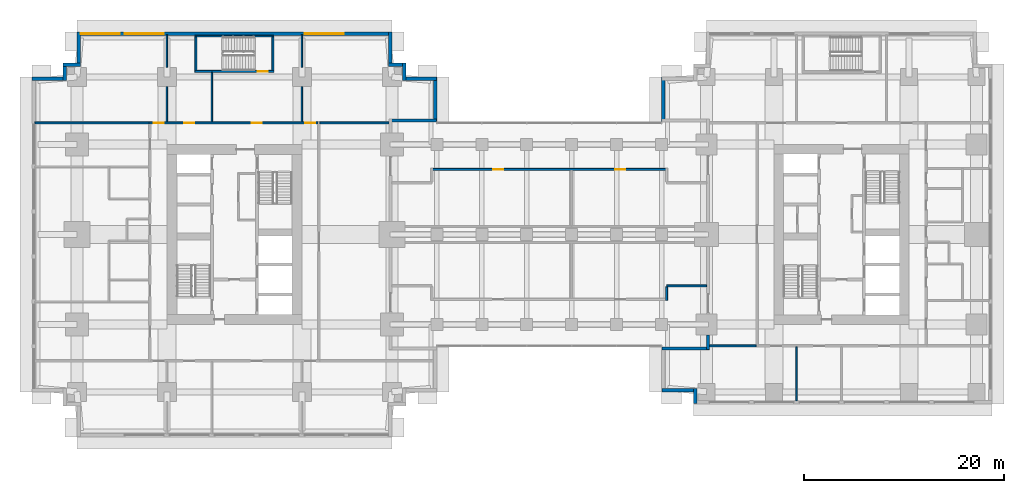
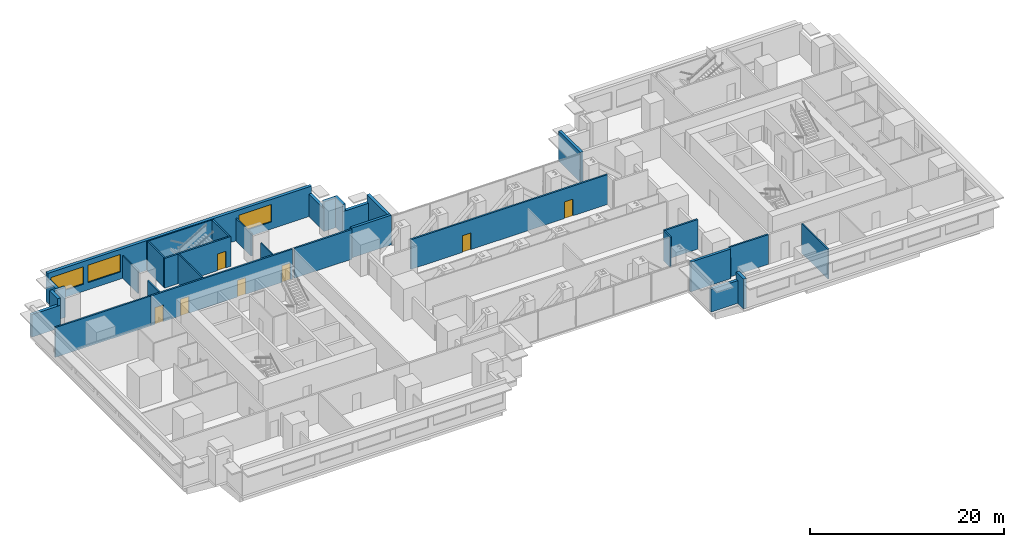
# One storey, part 9 of 16: 33 walls, 7 doors, 3 windows, 10 openings.
"""IFC4 building model written with IfcOpenShell, lengths in metres."""

from ifc_helpers import new_model, si_unit, direction, frame, frame_2d, origin, place, context, subcontext, project, spatial, rectangle, extrude, material, layer, layer_set, type_object, element, fill, save


model = new_model("IFC4")

# Units and contexts
model_context = context("Model", 3, precision=1e-05, world=origin(), true_north=direction((0.0, 1.0)))
body_context = subcontext(model_context, "Body", "Model", "MODEL_VIEW")
ifc_project = project(units=[si_unit("LENGTHUNIT", "METRE"), si_unit("AREAUNIT", "SQUARE_METRE"), si_unit("VOLUMEUNIT", "CUBIC_METRE"), si_unit("PLANEANGLEUNIT", "RADIAN"), si_unit("MASSUNIT", "GRAM", prefix="KILO")], contexts=[model_context])

# Site, building, storey
site_placement = place(None, origin())
site = spatial("IfcSite", under=ifc_project, at=site_placement, CompositionType="ELEMENT")
building_placement = place(site_placement, origin())
building = spatial("IfcBuilding", under=site, at=building_placement, Name="Namib Vertical Campus", CompositionType="ELEMENT")
storey_placement = place(building_placement, frame((0.0, 0.0, 129.0)))
storey = spatial("IfcBuildingStorey", under=building, at=storey_placement, Name="L30", CompositionType="ELEMENT", Elevation=129.0)

# Wall, openings, doors
ifc_material_1 = material(Name="Concrete masonry", Category="masonry")
ifc_layer_1 = layer(ifc_material_1, 0.199951171875)
ifc_layer_set_1 = layer_set([ifc_layer_1], Name="Corridor wall 200")
wall_type_1 = type_object("IfcWallType", Name="Corridor wall 200", PredefinedType="SOLIDWALL", material=ifc_layer_set_1)
wall_1_placement = place(storey_placement, frame((28.60009765625, 31.39990234375, 0.0), z_axis=(0.0, 0.0, 1.0), x_axis=(-1.0, 0.0, 0.0)))
wall_1 = element("IfcWall", 1, at=wall_1_placement, inside=storey, type_object=wall_type_1, Name="Corridor wall A L30 CN", PredefinedType="SOLIDWALL", context=body_context, shape_type="SweptSolid", body=[
    extrude(rectangle(XDim=16.900146484375, YDim=0.199951171875, at=frame_2d((8.4501953125, 0.0))), origin(), (0.0, 0.0, 1.0), 3.75),
])
opening_1_placement = place(wall_1_placement, frame((15.425048828125, 0.0, 0.0)))
opening_1 = element("IfcOpeningElement", 2, at=opening_1_placement, cuts=wall_1, Name="Opening CD1", PredefinedType="OPENING", context=body_context, shape_type="SweptSolid", body=[
    extrude(rectangle(XDim=1.0, YDim=2.10009765625, at=frame_2d((0.5, 1.050048828125))), frame((0.0, 0.10986328125, 0.0), z_axis=(0.0, -1.0, 0.0), x_axis=(1.0, 0.0, 0.0)), (0.0, 0.0, 1.0), 0.219970703125),
])
opening_2_placement = place(wall_1_placement, frame((12.35009765625, 0.0, 0.0)))
opening_2 = element("IfcOpeningElement", 3, at=opening_2_placement, cuts=wall_1, Name="Opening CD1", PredefinedType="OPENING", context=body_context, shape_type="SweptSolid", body=[
    extrude(rectangle(XDim=1.0, YDim=2.10009765625, at=frame_2d((0.5, 1.050048828125))), frame((0.0, 0.10986328125, 0.0), z_axis=(0.0, -1.0, 0.0), x_axis=(1.0, 0.0, 0.0)), (0.0, 0.0, 1.0), 0.219970703125),
])
opening_3_placement = place(wall_1_placement, frame((5.60009765625, 0.0, 0.0)))
opening_3 = element("IfcOpeningElement", 4, at=opening_3_placement, cuts=wall_1, Name="Opening CD4", PredefinedType="OPENING", context=body_context, shape_type="SweptSolid", body=[
    extrude(rectangle(XDim=1.0, YDim=2.10009765625, at=frame_2d((0.5, 1.050048828125))), frame((0.0, 0.10986328125, 0.0), z_axis=(0.0, -1.0, 0.0), x_axis=(1.0, 0.0, 0.0)), (0.0, 0.0, 1.0), 0.219970703125),
])
opening_4_placement = place(wall_1_placement, frame((0.27490234375, 0.0, 0.0)))
opening_4 = element("IfcOpeningElement", 5, at=opening_4_placement, cuts=wall_1, Name="Opening CD1", PredefinedType="OPENING", context=body_context, shape_type="SweptSolid", body=[
    extrude(rectangle(XDim=1.0, YDim=2.10009765625, at=frame_2d((0.5, 1.050048828125))), frame((0.0, 0.10986328125, 0.0), z_axis=(0.0, -1.0, 0.0), x_axis=(1.0, 0.0, 0.0)), (0.0, 0.0, 1.0), 0.219970703125),
])
ifc_material_2 = material(Name="Timber fire door leaf", Category="wood")
door_type_1 = type_object("IfcDoorType", Name="Corridor door 1000x2100 20 min", OperationType="SINGLE_SWING_LEFT", PredefinedType="DOOR", material=ifc_material_2)
door_1_placement = place(opening_1_placement, frame((1.0, 0.0, 0.0), z_axis=(0.0, 0.0, 1.0), x_axis=(-1.0, 0.0, 0.0)))
door_1 = element("IfcDoor", 6, at=door_1_placement, inside=storey, type_object=door_type_1, Name="Door CD1 A30-06", OperationType="SINGLE_SWING_RIGHT", OverallHeight=2.10009765625, OverallWidth=1.0, PredefinedType="DOOR", context=body_context, shape_type="SweptSolid", body=[
    extrude(rectangle(XDim=1.0, YDim=2.10009765625, at=frame_2d((0.5, 1.050048828125))), frame((0.0, 0.02490234375, 0.0), z_axis=(0.0, -1.0, 0.0), x_axis=(1.0, 0.0, 0.0)), (0.0, 0.0, 1.0), 0.050048828125),
])
fill(opening_1, door_1)
door_2_placement = place(opening_2_placement, frame((1.0, 0.0, 0.0), z_axis=(0.0, 0.0, 1.0), x_axis=(-1.0, 0.0, 0.0)))
door_2 = element("IfcDoor", 7, at=door_2_placement, inside=storey, type_object=door_type_1, Name="Door CD1 A30-07", OperationType="SINGLE_SWING_RIGHT", OverallHeight=2.10009765625, OverallWidth=1.0, PredefinedType="DOOR", context=body_context, shape_type="SweptSolid", body=[
    extrude(rectangle(XDim=1.0, YDim=2.10009765625, at=frame_2d((0.5, 1.050048828125))), frame((0.0, 0.02490234375, 0.0), z_axis=(0.0, -1.0, 0.0), x_axis=(1.0, 0.0, 0.0)), (0.0, 0.0, 1.0), 0.050048828125),
])
fill(opening_2, door_2)
door_3_placement = place(opening_4_placement, frame((1.0, 0.0, 0.0), z_axis=(0.0, 0.0, 1.0), x_axis=(-1.0, 0.0, 0.0)))
door_3 = element("IfcDoor", 8, at=door_3_placement, inside=storey, type_object=door_type_1, Name="Door CD1 A30-09", OperationType="SINGLE_SWING_LEFT", OverallHeight=2.10009765625, OverallWidth=1.0, PredefinedType="DOOR", context=body_context, shape_type="SweptSolid", body=[
    extrude(rectangle(XDim=1.0, YDim=2.10009765625, at=frame_2d((0.5, 1.050048828125))), frame((0.0, 0.02490234375, 0.0), z_axis=(0.0, -1.0, 0.0), x_axis=(1.0, 0.0, 0.0)), (0.0, 0.0, 1.0), 0.050048828125),
])
fill(opening_4, door_3)
ifc_material_3 = material(Name="Timber fire door leaf", Category="wood")
door_type_2 = type_object("IfcDoorType", Name="Corridor door 1000x2100 20 min double-acting", OperationType="DOUBLE_SWING_LEFT", PredefinedType="DOOR", material=ifc_material_3)
door_4_placement = place(opening_3_placement, origin())
door_4 = element("IfcDoor", 9, at=door_4_placement, inside=storey, type_object=door_type_2, Name="Door CD4 A30-08", OperationType="DOUBLE_SWING_LEFT", OverallHeight=2.10009765625, OverallWidth=1.0, PredefinedType="DOOR", context=body_context, shape_type="SweptSolid", body=[
    extrude(rectangle(XDim=1.0, YDim=2.10009765625, at=frame_2d((0.5, 1.050048828125))), frame((0.0, 0.02490234375, 0.0), z_axis=(0.0, -1.0, 0.0), x_axis=(1.0, 0.0, 0.0)), (0.0, 0.0, 1.0), 0.050048828125),
])
fill(opening_3, door_4)

# Walls
wall_2_placement = place(storey_placement, frame((0.300048828125, 31.39990234375, 0.0), z_axis=(0.0, 0.0, 1.0), x_axis=(1.0, 0.0, 0.0)))
element("IfcWall", 10, at=wall_2_placement, inside=storey, type_object=wall_type_1, Name="Partition A L30 BNW", PredefinedType="SOLIDWALL", context=body_context, shape_type="SweptSolid", body=[
    extrude(rectangle(XDim=11.39990234375, YDim=0.199951171875, at=frame_2d((5.699951171875, 0.0))), origin(), (0.0, 0.0, 1.0), 3.75),
])
wall_3_placement = place(storey_placement, frame((28.800048828125, 31.39990234375, 0.0), z_axis=(0.0, 0.0, 1.0), x_axis=(1.0, 0.0, 0.0)))
element("IfcWall", 11, at=wall_3_placement, inside=storey, type_object=wall_type_1, Name="Partition A L30 BNE", PredefinedType="SOLIDWALL", context=body_context, shape_type="SweptSolid", body=[
    extrude(rectangle(XDim=6.89990234375, YDim=0.199951171875, at=frame_2d((3.449951171875, 0.0))), origin(), (0.0, 0.0, 1.0), 3.75),
])
wall_4_placement = place(storey_placement, frame((67.800048828125, 9.10009765625, 0.0), z_axis=(0.0, 0.0, 1.0), x_axis=(1.0, 0.0, 0.0)))
element("IfcWall", 12, at=wall_4_placement, inside=storey, type_object=wall_type_1, Name="Partition B L30 BSW", PredefinedType="SOLIDWALL", context=body_context, shape_type="SweptSolid", body=[
    extrude(rectangle(XDim=4.64990234375, YDim=0.199951171875, at=frame_2d((2.324951171875, 0.0))), origin(), (0.0, 0.0, 1.0), 3.75),
])
wall_5_placement = place(storey_placement, frame((63.5, 15.10009765625, 0.0), z_axis=(0.0, 0.0, 1.0), x_axis=(1.0, 0.0, 0.0)))
element("IfcWall", 13, at=wall_5_placement, inside=storey, type_object=wall_type_1, Name="Lobby wall L30 E", PredefinedType="SOLIDWALL", context=body_context, shape_type="SweptSolid", body=[
    extrude(rectangle(XDim=4.0, YDim=0.199951171875, at=frame_2d((2.0, 0.0))), origin(), (0.0, 0.0, 1.0), 3.75),
])
wall_6_placement = place(storey_placement, frame((63.5, 13.64990234375, 0.0), z_axis=(0.0, 0.0, 1.0), x_axis=(0.0, 1.0, 0.0)))
element("IfcWall", 14, at=wall_6_placement, inside=storey, type_object=wall_type_1, Name="Lobby side wall L30 E", PredefinedType="SOLIDWALL", context=body_context, shape_type="SweptSolid", body=[
    extrude(rectangle(XDim=1.35009765625, YDim=0.199951171875, at=frame_2d((0.675048828125, 0.0))), origin(), (0.0, 0.0, 1.0), 3.75),
])

# Wall, openings, doors
wall_7_placement = place(storey_placement, frame((40.0, 26.75, 0.0), z_axis=(0.0, 0.0, 1.0), x_axis=(1.0, 0.0, 0.0)))
wall_7 = element("IfcWall", 15, at=wall_7_placement, inside=storey, type_object=wall_type_1, Name="North corridor wall L30", PredefinedType="SOLIDWALL", context=body_context, shape_type="SweptSolid", body=[
    extrude(rectangle(XDim=23.5, YDim=0.199951171875, at=frame_2d((11.75, 0.0))), origin(), (0.0, 0.0, 1.0), 3.75),
])
opening_5_placement = place(wall_7_placement, frame((6.14990234375, 0.0, 0.0)))
opening_5 = element("IfcOpeningElement", 16, at=opening_5_placement, cuts=wall_7, Name="Opening CD1", PredefinedType="OPENING", context=body_context, shape_type="SweptSolid", body=[
    extrude(rectangle(XDim=1.0, YDim=2.10009765625, at=frame_2d((0.5, 1.050048828125))), frame((0.0, 0.10986328125, 0.0), z_axis=(0.0, -1.0, 0.0), x_axis=(1.0, 0.0, 0.0)), (0.0, 0.0, 1.0), 0.219970703125),
])
opening_6_placement = place(wall_7_placement, frame((18.35009765625, 0.0, 0.0)))
opening_6 = element("IfcOpeningElement", 17, at=opening_6_placement, cuts=wall_7, Name="Opening CD1", PredefinedType="OPENING", context=body_context, shape_type="SweptSolid", body=[
    extrude(rectangle(XDim=1.0, YDim=2.10009765625, at=frame_2d((0.5, 1.050048828125))), frame((0.0, 0.10986328125, 0.0), z_axis=(0.0, -1.0, 0.0), x_axis=(1.0, 0.0, 0.0)), (0.0, 0.0, 1.0), 0.219970703125),
])
door_5_placement = place(opening_5_placement, frame((1.0, 0.0, 0.0), z_axis=(0.0, 0.0, 1.0), x_axis=(-1.0, 0.0, 0.0)))
door_5 = element("IfcDoor", 18, at=door_5_placement, inside=storey, type_object=door_type_1, Name="Door CD1 BR30-05", OperationType="SINGLE_SWING_RIGHT", OverallHeight=2.10009765625, OverallWidth=1.0, PredefinedType="DOOR", context=body_context, shape_type="SweptSolid", body=[
    extrude(rectangle(XDim=1.0, YDim=2.10009765625, at=frame_2d((0.5, 1.050048828125))), frame((0.0, 0.02490234375, 0.0), z_axis=(0.0, -1.0, 0.0), x_axis=(1.0, 0.0, 0.0)), (0.0, 0.0, 1.0), 0.050048828125),
])
fill(opening_5, door_5)
door_6_placement = place(opening_6_placement, frame((1.0, 0.0, 0.0), z_axis=(0.0, 0.0, 1.0), x_axis=(-1.0, 0.0, 0.0)))
door_6 = element("IfcDoor", 19, at=door_6_placement, inside=storey, type_object=door_type_1, Name="Door CD1 BR30-06", OperationType="SINGLE_SWING_LEFT", OverallHeight=2.10009765625, OverallWidth=1.0, PredefinedType="DOOR", context=body_context, shape_type="SweptSolid", body=[
    extrude(rectangle(XDim=1.0, YDim=2.10009765625, at=frame_2d((0.5, 1.050048828125))), frame((0.0, 0.02490234375, 0.0), z_axis=(0.0, -1.0, 0.0), x_axis=(1.0, 0.0, 0.0)), (0.0, 0.0, 1.0), 0.050048828125),
])
fill(opening_6, door_6)

# Walls
ifc_material_4 = material(Name="Concrete C40/50", Category="concrete")
ifc_layer_2 = layer(ifc_material_4, 0.35009765625)
ifc_layer_set_2 = layer_set([ifc_layer_2], Name="Concrete C40/50")
wall_type_2 = type_object("IfcWallType", Name="External wall 350 bush-hammered concrete", PredefinedType="STANDARD", material=ifc_layer_set_2)
wall_8_placement = place(storey_placement, frame((40.324951171875, 31.52001953125, 0.0), z_axis=(0.0, 0.0, 1.0), x_axis=(0.0, 1.0, 0.0)))
element("IfcWall", 20, at=wall_8_placement, inside=storey, type_object=wall_type_2, Name="External wall L30 F11", PredefinedType="STANDARD", context=body_context, shape_type="SweptSolid", body=[
    extrude(rectangle(XDim=4.4599609375, YDim=0.35009765625, at=frame_2d((2.22998046875, 0.0))), origin(), (0.0, 0.0, 1.0), 3.75),
])
wall_9_placement = place(storey_placement, frame((40.47998046875, 35.824951171875, 0.0), z_axis=(0.0, 0.0, 1.0), x_axis=(-1.0, 0.0, 0.0)))
element("IfcWall", 21, at=wall_9_placement, inside=storey, type_object=wall_type_2, Name="External wall L30 F12", PredefinedType="STANDARD", context=body_context, shape_type="SweptSolid", body=[
    extrude(rectangle(XDim=3.409912109375, YDim=0.35009765625, at=frame_2d((1.705078125, 0.0))), origin(), (0.0, 0.0, 1.0), 2.85009765625),
])
for number, where, z_axis, x_axis, name in (
    (22, (37.22509765625, 35.669921875, 0.0), (0.0, 0.0, 1.0), (0.0, 1.0, 0.0), "External wall L30 F13"),
    (23, (37.3798828125, 37.22509765625, 0.0), (0.0, 0.0, 1.0), (-1.0, 0.0, 0.0), "External wall L30 F14"),
):
    element("IfcWall", number, at=place(storey_placement, frame(where, z_axis=z_axis, x_axis=x_axis)), inside=storey, type_object=wall_type_2, Name=name, PredefinedType="STANDARD", context=body_context, shape_type="SweptSolid", body=[
        extrude(rectangle(XDim=1.7099609375, YDim=0.35009765625, at=frame_2d((0.85498046875, 0.0))), origin(), (0.0, 0.0, 1.0), 3.75),
    ])
wall_10_placement = place(storey_placement, frame((35.824951171875, 37.070068359375, 0.0), z_axis=(0.0, 0.0, 1.0), x_axis=(0.0, 1.0, 0.0)))
element("IfcWall", 24, at=wall_10_placement, inside=storey, type_object=wall_type_2, Name="External wall L30 F15", PredefinedType="STANDARD", context=body_context, shape_type="SweptSolid", body=[
    extrude(rectangle(XDim=3.409912109375, YDim=0.35009765625, at=frame_2d((1.705078125, 0.0))), origin(), (0.0, 0.0, 1.0), 2.85009765625),
])

# Wall, openings, windows
wall_11_placement = place(storey_placement, frame((35.97998046875, 40.324951171875, 0.0), z_axis=(0.0, 0.0, 1.0), x_axis=(-1.0, 0.0, 0.0)))
wall_11 = element("IfcWall", 25, at=wall_11_placement, inside=storey, type_object=wall_type_2, Name="External wall L30 F16", PredefinedType="STANDARD", context=body_context, shape_type="SweptSolid", body=[
    extrude(rectangle(XDim=31.4599609375, YDim=0.35009765625, at=frame_2d((15.72998046875, 0.0))), origin(), (0.0, 0.0, 1.0), 3.75),
])
opening_7_placement = place(wall_11_placement, frame((27.2099609375, 0.0, 0.89990234375)))
opening_7 = element("IfcOpeningElement", 26, at=opening_7_placement, cuts=wall_11, Name="Opening W1", PredefinedType="OPENING", context=body_context, shape_type="SweptSolid", body=[
    extrude(rectangle(XDim=3.89990234375, YDim=2.199951171875, at=frame_2d((1.949951171875, 1.10009765625))), frame((0.0, 0.18505859375, 0.0), z_axis=(0.0, -1.0, 0.0), x_axis=(1.0, 0.0, 0.0)), (0.0, 0.0, 1.0), 0.3701171875),
])
opening_8_placement = place(wall_11_placement, frame((22.780029296875, 0.0, 0.89990234375)))
opening_8 = element("IfcOpeningElement", 27, at=opening_8_placement, cuts=wall_11, Name="Opening W1", PredefinedType="OPENING", context=body_context, shape_type="SweptSolid", body=[
    extrude(rectangle(XDim=3.89990234375, YDim=2.199951171875, at=frame_2d((1.949951171875, 1.10009765625))), frame((0.0, 0.18505859375, 0.0), z_axis=(0.0, -1.0, 0.0), x_axis=(1.0, 0.0, 0.0)), (0.0, 0.0, 1.0), 0.3701171875),
])
opening_9_placement = place(wall_11_placement, frame((4.780029296875, 0.0, 0.89990234375)))
opening_9 = element("IfcOpeningElement", 28, at=opening_9_placement, cuts=wall_11, Name="Opening W1", PredefinedType="OPENING", context=body_context, shape_type="SweptSolid", body=[
    extrude(rectangle(XDim=3.89990234375, YDim=2.199951171875, at=frame_2d((1.949951171875, 1.10009765625))), frame((0.0, 0.18505859375, 0.0), z_axis=(0.0, -1.0, 0.0), x_axis=(1.0, 0.0, 0.0)), (0.0, 0.0, 1.0), 0.3701171875),
])
ifc_material_5 = material(Name="Dark tinted glass in black aluminium frame", Category="aluminium")
window_type = type_object("IfcWindowType", Name="Ribbon window 3900x2200", PartitioningType="SINGLE_PANEL", PredefinedType="WINDOW", material=ifc_material_5)
window_1_placement = place(opening_7_placement, origin())
window_1 = element("IfcWindow", 29, at=window_1_placement, inside=storey, type_object=window_type, Name="Window W1 L30 F16-1", OverallHeight=2.199951171875, OverallWidth=3.89990234375, PartitioningType="SINGLE_PANEL", PredefinedType="WINDOW", context=body_context, shape_type="SweptSolid", body=[
    extrude(rectangle(XDim=3.89990234375, YDim=2.199951171875, at=frame_2d((1.949951171875, 1.10009765625))), frame((0.0, 0.030029296875, 0.0), z_axis=(0.0, -1.0, 0.0), x_axis=(1.0, 0.0, 0.0)), (0.0, 0.0, 1.0), 0.06005859375),
])
fill(opening_7, window_1)
window_2_placement = place(opening_8_placement, origin())
window_2 = element("IfcWindow", 30, at=window_2_placement, inside=storey, type_object=window_type, Name="Window W1 L30 F16-2", OverallHeight=2.199951171875, OverallWidth=3.89990234375, PartitioningType="SINGLE_PANEL", PredefinedType="WINDOW", context=body_context, shape_type="SweptSolid", body=[
    extrude(rectangle(XDim=3.89990234375, YDim=2.199951171875, at=frame_2d((1.949951171875, 1.10009765625))), frame((0.0, 0.030029296875, 0.0), z_axis=(0.0, -1.0, 0.0), x_axis=(1.0, 0.0, 0.0)), (0.0, 0.0, 1.0), 0.06005859375),
])
fill(opening_8, window_2)
window_3_placement = place(opening_9_placement, origin())
window_3 = element("IfcWindow", 31, at=window_3_placement, inside=storey, type_object=window_type, Name="Window W1 L30 F16-6", OverallHeight=2.199951171875, OverallWidth=3.89990234375, PartitioningType="SINGLE_PANEL", PredefinedType="WINDOW", context=body_context, shape_type="SweptSolid", body=[
    extrude(rectangle(XDim=3.89990234375, YDim=2.199951171875, at=frame_2d((1.949951171875, 1.10009765625))), frame((0.0, 0.030029296875, 0.0), z_axis=(0.0, -1.0, 0.0), x_axis=(1.0, 0.0, 0.0)), (0.0, 0.0, 1.0), 0.06005859375),
])
fill(opening_9, window_3)

# Walls
wall_12_placement = place(storey_placement, frame((4.675048828125, 40.47998046875, 0.0), z_axis=(0.0, 0.0, 1.0), x_axis=(0.0, -1.0, 0.0)))
element("IfcWall", 32, at=wall_12_placement, inside=storey, type_object=wall_type_2, Name="External wall L30 F17", PredefinedType="STANDARD", context=body_context, shape_type="SweptSolid", body=[
    extrude(rectangle(XDim=3.409912109375, YDim=0.35009765625, at=frame_2d((1.705078125, 0.0))), origin(), (0.0, 0.0, 1.0), 2.85009765625),
])
for number, where, z_axis, x_axis, name in (
    (33, (4.830078125, 37.22509765625, 0.0), (0.0, 0.0, 1.0), (-1.0, 0.0, 0.0), "External wall L30 F18"),
    (34, (3.27490234375, 37.3798828125, 0.0), (0.0, 0.0, 1.0), (0.0, -1.0, 0.0), "External wall L30 F19"),
):
    element("IfcWall", number, at=place(storey_placement, frame(where, z_axis=z_axis, x_axis=x_axis)), inside=storey, type_object=wall_type_2, Name=name, PredefinedType="STANDARD", context=body_context, shape_type="SweptSolid", body=[
        extrude(rectangle(XDim=1.7099609375, YDim=0.35009765625, at=frame_2d((0.85498046875, 0.0))), origin(), (0.0, 0.0, 1.0), 3.75),
    ])
wall_13_placement = place(storey_placement, frame((3.429931640625, 35.824951171875, 0.0), z_axis=(0.0, 0.0, 1.0), x_axis=(-1.0, 0.0, 0.0)))
element("IfcWall", 35, at=wall_13_placement, inside=storey, type_object=wall_type_2, Name="External wall L30 F20", PredefinedType="STANDARD", context=body_context, shape_type="SweptSolid", body=[
    extrude(rectangle(XDim=3.409912109375, YDim=0.35009765625, at=frame_2d((1.705078125, 0.0))), origin(), (0.0, 0.0, 1.0), 2.85009765625),
])
wall_14_placement = place(storey_placement, frame((63.02001953125, 4.675048828125, 0.0), z_axis=(0.0, 0.0, 1.0), x_axis=(1.0, 0.0, 0.0)))
element("IfcWall", 36, at=wall_14_placement, inside=storey, type_object=wall_type_2, Name="External wall L30 F02", PredefinedType="STANDARD", context=body_context, shape_type="SweptSolid", body=[
    extrude(rectangle(XDim=3.510009765625, YDim=0.35009765625, at=frame_2d((1.7548828125, 0.0))), origin(), (0.0, 0.0, 1.0), 2.85009765625),
])
wall_15_placement = place(storey_placement, frame((66.375, 4.830078125, 0.0), z_axis=(0.0, 0.0, 1.0), x_axis=(0.0, -1.0, 0.0)))
element("IfcWall", 37, at=wall_15_placement, inside=storey, type_object=wall_type_2, Name="External wall L30 F03", PredefinedType="STANDARD", context=body_context, shape_type="SweptSolid", body=[
    extrude(rectangle(XDim=1.510009765625, YDim=0.35009765625, at=frame_2d((0.7548828125, 0.0))), origin(), (0.0, 0.0, 1.0), 3.75),
])
wall_16_placement = place(storey_placement, frame((63.175048828125, 35.97998046875, 0.0), z_axis=(0.0, 0.0, 1.0), x_axis=(0.0, -1.0, 0.0)))
element("IfcWall", 38, at=wall_16_placement, inside=storey, type_object=wall_type_2, Name="External wall L30 F13", PredefinedType="STANDARD", context=body_context, shape_type="SweptSolid", body=[
    extrude(rectangle(XDim=4.4599609375, YDim=0.35009765625, at=frame_2d((2.22998046875, 0.0))), origin(), (0.0, 0.0, 1.0), 3.75),
])
ifc_material_6 = material(Name="Concrete masonry", Category="masonry")
ifc_layer_3 = layer(ifc_material_6, 0.300048828125)
ifc_layer_set_3 = layer_set([ifc_layer_3], Name="Fire wall 300")
wall_type_3 = type_object("IfcWallType", Name="Fire wall 300", PredefinedType="SOLIDWALL", material=ifc_layer_set_3)
wall_17_placement = place(storey_placement, frame((35.719970703125, 31.64990234375, 0.0), z_axis=(0.0, 0.0, 1.0), x_axis=(1.0, 0.0, 0.0)))
element("IfcWall", 39, at=wall_17_placement, inside=storey, type_object=wall_type_3, Name="External wall L30 F10", PredefinedType="SOLIDWALL", context=body_context, shape_type="SweptSolid", body=[
    extrude(rectangle(XDim=4.760009765625, YDim=0.300048828125, at=frame_2d((2.3798828125, 0.0))), origin(), (0.0, 0.0, 1.0), 3.75),
])
wall_18_placement = place(storey_placement, frame((67.64990234375, 10.199951171875, 0.0), z_axis=(0.0, 0.0, 1.0), x_axis=(0.0, -1.0, 0.0)))
element("IfcWall", 40, at=wall_18_placement, inside=storey, type_object=wall_type_3, Name="External wall L30 F15", PredefinedType="SOLIDWALL", context=body_context, shape_type="SweptSolid", body=[
    extrude(rectangle(XDim=1.47998046875, YDim=0.300048828125, at=frame_2d((0.739990234375, 0.0))), origin(), (0.0, 0.0, 1.0), 2.64990234375),
])
wall_19_placement = place(storey_placement, frame((67.780029296875, 8.85009765625, 0.0), z_axis=(0.0, 0.0, 1.0), x_axis=(-1.0, 0.0, 0.0)))
element("IfcWall", 41, at=wall_19_placement, inside=storey, type_object=wall_type_3, Name="External wall L30 F16", PredefinedType="SOLIDWALL", context=body_context, shape_type="SweptSolid", body=[
    extrude(rectangle(XDim=4.760009765625, YDim=0.300048828125, at=frame_2d((2.3798828125, 0.0))), origin(), (0.0, 0.0, 1.0), 3.75),
])
ifc_material_7 = material(Name="Gypsum board on steel studs", Category="steel")
ifc_layer_4 = layer(ifc_material_7, 0.14990234375)
ifc_layer_set_4 = layer_set([ifc_layer_4], Name="Gypsum board on steel studs")
wall_type_4 = type_object("IfcWallType", Name="Partition 150", PredefinedType="PARTITIONING", material=ifc_layer_set_4)
wall_20_placement = place(storey_placement, frame((13.5, 31.5, 0.0), z_axis=(0.0, 0.0, 1.0), x_axis=(0.0, 1.0, 0.0)))
element("IfcWall", 42, at=wall_20_placement, inside=storey, type_object=wall_type_4, Name="Partition A L30 PN1", PredefinedType="PARTITIONING", context=body_context, shape_type="SweptSolid", body=[
    extrude(rectangle(XDim=3.530029296875, YDim=0.14990234375, at=frame_2d((1.76513671875, 0.0))), origin(), (0.0, 0.0, 1.0), 2.85009765625),
])
wall_21_placement = place(storey_placement, frame((13.5, 36.969970703125, 0.0), z_axis=(0.0, 0.0, 1.0), x_axis=(0.0, 1.0, 0.0)))
element("IfcWall", 43, at=wall_21_placement, inside=storey, type_object=wall_type_4, Name="Partition A L30 PN1", PredefinedType="PARTITIONING", context=body_context, shape_type="SweptSolid", body=[
    extrude(rectangle(XDim=3.22998046875, YDim=0.14990234375, at=frame_2d((1.614990234375, 0.0))), origin(), (0.0, 0.0, 1.0), 2.85009765625),
])
wall_22_placement = place(storey_placement, frame((18.0, 31.5, 0.0), z_axis=(0.0, 0.0, 1.0), x_axis=(0.0, 1.0, 0.0)))
element("IfcWall", 44, at=wall_22_placement, inside=storey, type_object=wall_type_4, Name="Partition A L30 PN2", PredefinedType="PARTITIONING", context=body_context, shape_type="SweptSolid", body=[
    extrude(rectangle(XDim=4.949951171875, YDim=0.14990234375, at=frame_2d((2.47509765625, 0.0))), origin(), (0.0, 0.0, 1.0), 3.75),
])
wall_23_placement = place(storey_placement, frame((27.0, 31.5, 0.0), z_axis=(0.0, 0.0, 1.0), x_axis=(0.0, 1.0, 0.0)))
element("IfcWall", 45, at=wall_23_placement, inside=storey, type_object=wall_type_4, Name="Partition A L30 PN3", PredefinedType="PARTITIONING", context=body_context, shape_type="SweptSolid", body=[
    extrude(rectangle(XDim=3.530029296875, YDim=0.14990234375, at=frame_2d((1.76513671875, 0.0))), origin(), (0.0, 0.0, 1.0), 2.85009765625),
])
wall_24_placement = place(storey_placement, frame((27.0, 36.969970703125, 0.0), z_axis=(0.0, 0.0, 1.0), x_axis=(0.0, 1.0, 0.0)))
element("IfcWall", 46, at=wall_24_placement, inside=storey, type_object=wall_type_4, Name="Partition A L30 PN3", PredefinedType="PARTITIONING", context=body_context, shape_type="SweptSolid", body=[
    extrude(rectangle(XDim=3.22998046875, YDim=0.14990234375, at=frame_2d((1.614990234375, 0.0))), origin(), (0.0, 0.0, 1.0), 2.85009765625),
])
wall_25_placement = place(storey_placement, frame((76.5, 3.60009765625, 0.0), z_axis=(0.0, 0.0, 1.0), x_axis=(0.0, 1.0, 0.0)))
element("IfcWall", 47, at=wall_25_placement, inside=storey, type_object=wall_type_4, Name="Partition B L30 PS1", PredefinedType="PARTITIONING", context=body_context, shape_type="SweptSolid", body=[
    extrude(rectangle(XDim=5.39990234375, YDim=0.14990234375, at=frame_2d((2.699951171875, 0.0))), origin(), (0.0, 0.0, 1.0), 3.75),
])
ifc_material_8 = material(Name="Concrete C40/50", Category="concrete")
ifc_layer_5 = layer(ifc_material_8, 0.14990234375)
ifc_layer_set_5 = layer_set([ifc_layer_5], Name="Concrete C40/50")
wall_type_5 = type_object("IfcWallType", Name="Stair enclosure wall RC 150", PredefinedType="SOLIDWALL", material=ifc_layer_set_5)
wall_26_placement = place(storey_placement, frame((16.300048828125, 40.074951171875, 0.0), z_axis=(0.0, 0.0, 1.0), x_axis=(1.0, 0.0, 0.0)))
element("IfcWall", 48, at=wall_26_placement, inside=storey, type_object=wall_type_5, Name="Stair enclosure wall A-S3 L30 N", PredefinedType="SOLIDWALL", context=body_context, shape_type="SweptSolid", body=[
    extrude(rectangle(XDim=7.89990234375, YDim=0.14990234375, at=frame_2d((3.949951171875, 0.0))), origin(), (0.0, 0.0, 1.0), 3.75),
])

# Wall, opening, door
ifc_material_9 = material(Name="Concrete C40/50", Category="concrete")
ifc_layer_6 = layer(ifc_material_9, 0.199951171875)
ifc_layer_set_6 = layer_set([ifc_layer_6], Name="Concrete C40/50")
wall_type_6 = type_object("IfcWallType", Name="Stair enclosure wall RC 200", PredefinedType="SOLIDWALL", material=ifc_layer_set_6)
wall_27_placement = place(storey_placement, frame((16.300048828125, 36.550048828125, 0.0), z_axis=(0.0, 0.0, 1.0), x_axis=(1.0, 0.0, 0.0)))
wall_27 = element("IfcWall", 49, at=wall_27_placement, inside=storey, type_object=wall_type_6, Name="Stair enclosure wall A-S3 L30 S", PredefinedType="SOLIDWALL", context=body_context, shape_type="SweptSolid", body=[
    extrude(rectangle(XDim=7.89990234375, YDim=0.199951171875, at=frame_2d((3.949951171875, 0.0))), origin(), (0.0, 0.0, 1.0), 3.75),
])
opening_10_placement = place(wall_27_placement, frame((6.300048828125, 0.0, 0.0)))
opening_10 = element("IfcOpeningElement", 50, at=opening_10_placement, cuts=wall_27, Name="Opening FD1", PredefinedType="OPENING", context=body_context, shape_type="SweptSolid", body=[
    extrude(rectangle(XDim=1.0, YDim=2.10009765625, at=frame_2d((0.5, 1.050048828125))), frame((0.0, 0.10986328125, 0.0), z_axis=(0.0, -1.0, 0.0), x_axis=(1.0, 0.0, 0.0)), (0.0, 0.0, 1.0), 0.219970703125),
])
ifc_material_10 = material(Name="Steel fire door", Category="steel")
door_type_3 = type_object("IfcDoorType", Name="Fire door 1000x2100", OperationType="SINGLE_SWING_RIGHT", PredefinedType="DOOR", material=ifc_material_10)
door_7_placement = place(opening_10_placement, origin())
door_7 = element("IfcDoor", 51, at=door_7_placement, inside=storey, type_object=door_type_3, Name="Stair door FD1 A L30 S3", OperationType="SINGLE_SWING_RIGHT", OverallHeight=2.10009765625, OverallWidth=1.0, PredefinedType="DOOR", context=body_context, shape_type="SweptSolid", body=[
    extrude(rectangle(XDim=1.0, YDim=2.10009765625, at=frame_2d((0.5, 1.050048828125))), frame((0.0, 0.02490234375, 0.0), z_axis=(0.0, -1.0, 0.0), x_axis=(1.0, 0.0, 0.0)), (0.0, 0.0, 1.0), 0.050048828125),
])
fill(opening_10, door_7)

# Walls
for number, where, z_axis, x_axis, name in (
    (52, (16.39990234375, 36.64990234375, 0.0), (0.0, 0.0, 1.0), (0.0, 1.0, 0.0), "Stair enclosure wall A-S3 L30 W"),
    (53, (24.10009765625, 36.64990234375, 0.0), (0.0, 0.0, 1.0), (0.0, 1.0, 0.0), "Stair enclosure wall A-S3 L30 E"),
):
    element("IfcWall", number, at=place(storey_placement, frame(where, z_axis=z_axis, x_axis=x_axis)), inside=storey, type_object=wall_type_6, Name=name, PredefinedType="SOLIDWALL", context=body_context, shape_type="SweptSolid", body=[
        extrude(rectangle(XDim=3.35009765625, YDim=0.199951171875, at=frame_2d((1.675048828125, 0.0))), origin(), (0.0, 0.0, 1.0), 3.75),
    ])

save(model, "model.ifc")
